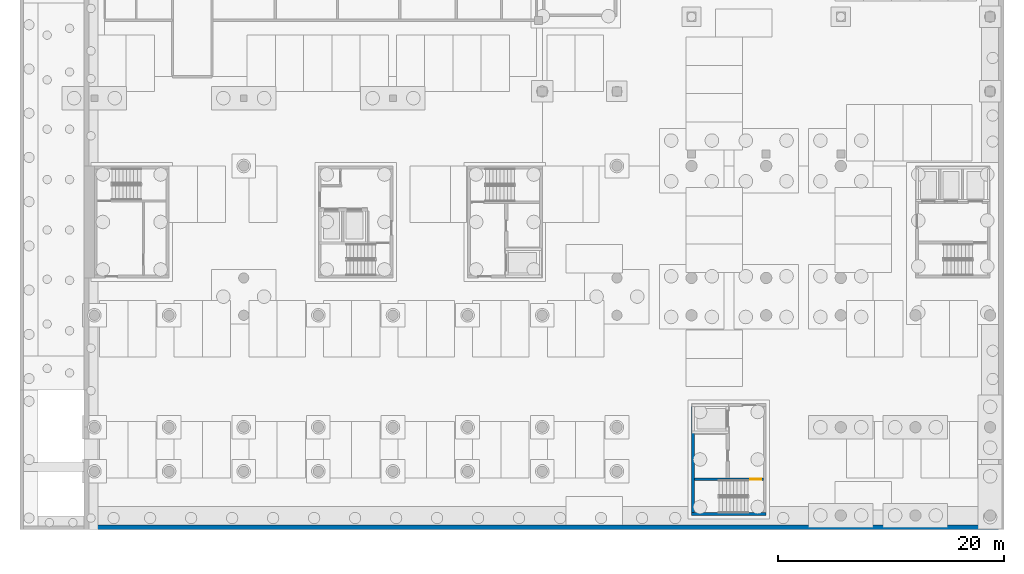
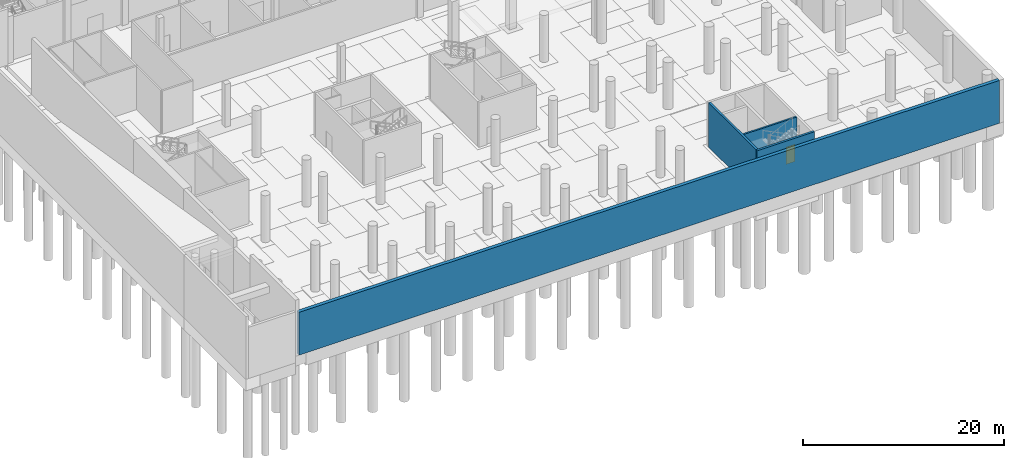
# One storey, part 11 of 38: 4 walls, 1 door, 1 opening.
"""IFC4 building model written with IfcOpenShell, lengths in metres."""

from ifc_helpers import new_model, si_unit, direction, frame, frame_2d, origin, place, context, subcontext, project, spatial, rectangle, extrude, material, layer, layer_set, type_object, element, fill, save


model = new_model("IFC4")

# Units and contexts
model_context = context("Model", 3, precision=1e-05, world=origin(), true_north=direction((0.0, 1.0)))
body_context = subcontext(model_context, "Body", "Model", "MODEL_VIEW")
ifc_project = project(units=[si_unit("LENGTHUNIT", "METRE"), si_unit("AREAUNIT", "SQUARE_METRE"), si_unit("VOLUMEUNIT", "CUBIC_METRE"), si_unit("PLANEANGLEUNIT", "RADIAN"), si_unit("MASSUNIT", "GRAM", prefix="KILO")], contexts=[model_context])

# Site, building, storey
site_placement = place(None, origin())
site = spatial("IfcSite", under=ifc_project, at=site_placement, CompositionType="ELEMENT")
building_placement = place(site_placement, origin())
building = spatial("IfcBuilding", under=site, at=building_placement, Name="Lantern Court Research Institute", CompositionType="ELEMENT")
storey_placement = place(building_placement, frame((0.0, 0.0, -5.699951171875)))
storey = spatial("IfcBuildingStorey", under=building, at=storey_placement, Name="B1", CompositionType="ELEMENT", Elevation=-5.699951171875)

# Walls
ifc_material_1 = material(Name="Concrete C40/50", Category="concrete")
ifc_layer_1 = layer(ifc_material_1, 0.25)
ifc_layer_set_1 = layer_set([ifc_layer_1], Name="Concrete C40/50")
wall_type_1 = type_object("IfcWallType", Name="RC core wall 250", PredefinedType="SHEAR", material=ifc_layer_set_1)
wall_1_placement = place(storey_placement, frame((59.39990234375, -7.675048828125, 0.0), z_axis=(0.0, 0.0, 1.0), x_axis=(-1.0, 0.0, 0.0)))
element("IfcWall", 1, at=wall_1_placement, inside=storey, type_object=wall_type_1, Name="South wall of core TC-W", PredefinedType="SHEAR", context=body_context, shape_type="SweptSolid", body=[
    extrude(rectangle(XDim=6.599853515625, YDim=0.25, at=frame_2d((3.2998046875, 0.0))), origin(), (0.0, 0.0, 1.0), 5.39990234375),
])
wall_2_placement = place(storey_placement, frame((52.925048828125, 1.85009765625, 0.0), z_axis=(0.0, 0.0, 1.0), x_axis=(0.0, -1.0, 0.0)))
element("IfcWall", 2, at=wall_2_placement, inside=storey, type_object=wall_type_1, Name="West wall of core TC-W", PredefinedType="SHEAR", context=body_context, shape_type="SweptSolid", body=[
    extrude(rectangle(XDim=9.400146484375, YDim=0.25, at=frame_2d((4.7001953125, 0.0))), origin(), (0.0, 0.0, 1.0), 5.39990234375),
])

# Wall, opening, door
ifc_material_2 = material(Name="Concrete C40/50", Category="concrete")
ifc_layer_2 = layer(ifc_material_2, 0.199951171875)
ifc_layer_set_2 = layer_set([ifc_layer_2], Name="Concrete C40/50")
wall_type_2 = type_object("IfcWallType", Name="RC shaft wall 200", PredefinedType="SHEAR", material=ifc_layer_set_2)
wall_3_placement = place(storey_placement, frame((59.14990234375, -4.60009765625, 0.0), z_axis=(0.0, 0.0, 1.0), x_axis=(-1.0, 0.0, 0.0)))
wall_3 = element("IfcWall", 3, at=wall_3_placement, inside=storey, type_object=wall_type_2, Name="Stair wall of core TC-W", PredefinedType="SHEAR", context=body_context, shape_type="SweptSolid", body=[
    extrude(rectangle(XDim=6.099853515625, YDim=0.199951171875, at=frame_2d((3.0498046875, 0.0))), origin(), (0.0, 0.0, 1.0), 5.39990234375),
])
opening_placement = place(wall_3_placement, frame((0.175048828125, 0.0, 0.0)))
opening = element("IfcOpeningElement", 4, at=opening_placement, cuts=wall_3, Name="Opening D7097", PredefinedType="OPENING", context=body_context, shape_type="SweptSolid", body=[
    extrude(rectangle(XDim=1.0, YDim=2.10009765625, at=frame_2d((0.5, 1.050048828125))), frame((0.0, 0.10986328125, 0.0), z_axis=(0.0, -1.0, 0.0), x_axis=(1.0, 0.0, 0.0)), (0.0, 0.0, 1.0), 0.219970703125),
])
ifc_material_3 = material(Name="Steel fire door leaf with smoke seals", Category="steel")
door_type = type_object("IfcDoorType", Name="Door 1000 x 2100 fire rated FD60S", OperationType="NOTDEFINED", PredefinedType="DOOR", material=ifc_material_3)
door_placement = place(opening_placement, origin())
door = element("IfcDoor", 5, at=door_placement, inside=storey, type_object=door_type, Name="Stair door", OperationType="SINGLE_SWING_RIGHT", OverallHeight=2.10009765625, OverallWidth=1.0, PredefinedType="DOOR", context=body_context, shape_type="SweptSolid", body=[
    extrude(rectangle(XDim=1.0, YDim=2.10009765625, at=frame_2d((0.5, 1.050048828125))), frame((0.0, 0.02490234375, 0.0), z_axis=(0.0, -1.0, 0.0), x_axis=(1.0, 0.0, 0.0)), (0.0, 0.0, 1.0), 0.050048828125),
])
fill(opening, door)

# Wall
ifc_material_4 = material(Name="Concrete C30/37", Category="concrete")
ifc_layer_3 = layer(ifc_material_4, 0.39990234375)
ifc_layer_set_3 = layer_set([ifc_layer_3], Name="Concrete C30/37")
wall_type_3 = type_object("IfcWallType", Name="Retaining wall 400", PredefinedType="SOLIDWALL", material=ifc_layer_set_3)
wall_4_placement = place(storey_placement, frame((-0.5, -8.830078125, 0.0), z_axis=(0.0, 0.0, 1.0), x_axis=(1.0, 0.0, 0.0)))
element("IfcWall", 6, at=wall_4_placement, inside=storey, type_object=wall_type_3, Name="RW2", PredefinedType="SOLIDWALL", context=body_context, shape_type="SweptSolid", body=[
    extrude(rectangle(XDim=80.429931640625, YDim=0.39990234375, at=frame_2d((40.21484375, 0.0))), origin(), (0.0, 0.0, 1.0), 5.199951171875),
])

save(model, "model.ifc")
